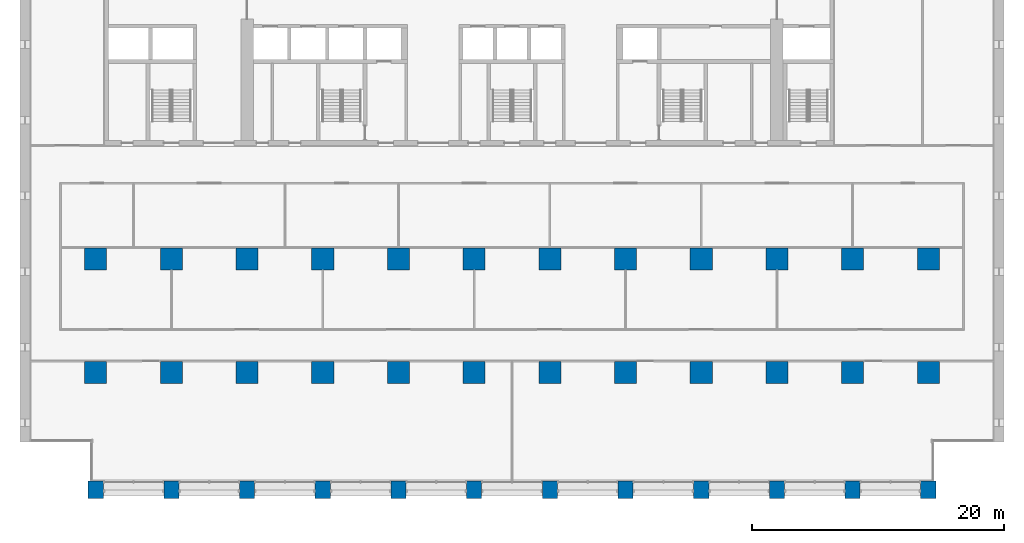
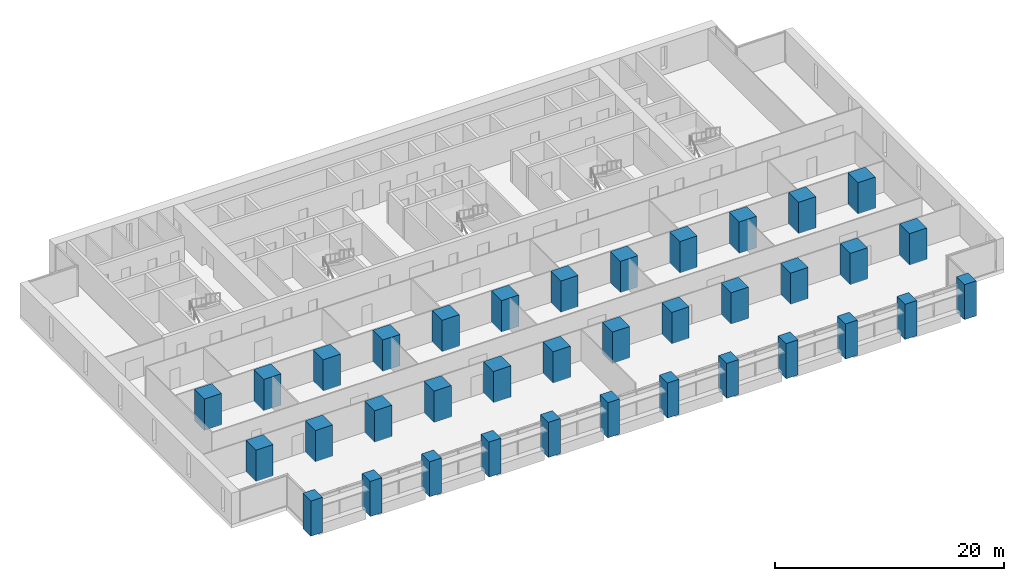
# One storey, part 1 of 18: 36 columns.
"""IFC4 building model written with IfcOpenShell, lengths in metres."""

from ifc_helpers import new_model, si_unit, direction, frame, origin, origin_2d, place, context, subcontext, project, spatial, rectangle, extrude, material, material_profile, profile_set, type_object, element, save


model = new_model("IFC4")

# Units and contexts
model_context = context("Model", 3, precision=1e-05, world=origin(), true_north=direction((0.0, 1.0)))
body_context = subcontext(model_context, "Body", "Model", "MODEL_VIEW")
ifc_project = project(units=[si_unit("LENGTHUNIT", "METRE"), si_unit("AREAUNIT", "SQUARE_METRE"), si_unit("VOLUMEUNIT", "CUBIC_METRE"), si_unit("PLANEANGLEUNIT", "RADIAN"), si_unit("MASSUNIT", "GRAM", prefix="KILO")], contexts=[model_context])

# Site, building, storey
site_placement = place(None, origin())
site = spatial("IfcSite", under=ifc_project, at=site_placement, CompositionType="ELEMENT")
building_placement = place(site_placement, origin())
building = spatial("IfcBuilding", under=site, at=building_placement, Name="Calvaro Tower", CompositionType="ELEMENT")
storey_placement = place(building_placement, frame((0.0, 0.0, 37.5)))
storey = spatial("IfcBuildingStorey", under=building, at=storey_placement, Name="L08", CompositionType="ELEMENT", Elevation=37.5)

# Columns
ifc_material_1 = material(Name="Concrete C80/95", Category="concrete")
ifc_material_profile_1 = material_profile(ifc_material_1, rectangle(XDim=1.75, YDim=1.75, at=origin_2d()), Name="RC 1750x1750")
ifc_profile_set_1 = profile_set([ifc_material_profile_1], Name="Concrete C80/95")
column_type_1 = type_object("IfcColumnType", Name="Column 1750x1750 C80/95", PredefinedType="COLUMN", material=ifc_profile_set_1)
for number, where, z_axis, x_axis, name in (
    (1, (6.0, 10.0, 0.0), (0.0, 0.0, 1.0), (1.0, 0.0, 0.0), "Column 2B"),
    (2, (6.0, 19.0, 0.0), (0.0, 0.0, 1.0), (1.0, 0.0, 0.0), "Column 2C"),
    (3, (12.0, 10.0, 0.0), (0.0, 0.0, 1.0), (1.0, 0.0, 0.0), "Column 3B"),
    (4, (12.0, 19.0, 0.0), (0.0, 0.0, 1.0), (1.0, 0.0, 0.0), "Column 3C"),
    (5, (18.0, 10.0, 0.0), (0.0, 0.0, 1.0), (1.0, 0.0, 0.0), "Column 4B"),
    (6, (18.0, 19.0, 0.0), (0.0, 0.0, 1.0), (1.0, 0.0, 0.0), "Column 4C"),
    (7, (24.0, 10.0, 0.0), (0.0, 0.0, 1.0), (1.0, 0.0, 0.0), "Column 5B"),
    (8, (24.0, 19.0, 0.0), (0.0, 0.0, 1.0), (1.0, 0.0, 0.0), "Column 5C"),
    (9, (30.0, 10.0, 0.0), (0.0, 0.0, 1.0), (1.0, 0.0, 0.0), "Column 6B"),
    (10, (30.0, 19.0, 0.0), (0.0, 0.0, 1.0), (1.0, 0.0, 0.0), "Column 6C"),
    (11, (36.0, 10.0, 0.0), (0.0, 0.0, 1.0), (1.0, 0.0, 0.0), "Column 7B"),
    (12, (36.0, 19.0, 0.0), (0.0, 0.0, 1.0), (1.0, 0.0, 0.0), "Column 7C"),
    (13, (42.0, 10.0, 0.0), (0.0, 0.0, 1.0), (1.0, 0.0, 0.0), "Column 8B"),
    (14, (42.0, 19.0, 0.0), (0.0, 0.0, 1.0), (1.0, 0.0, 0.0), "Column 8C"),
    (15, (48.0, 10.0, 0.0), (0.0, 0.0, 1.0), (1.0, 0.0, 0.0), "Column 9B"),
    (16, (48.0, 19.0, 0.0), (0.0, 0.0, 1.0), (1.0, 0.0, 0.0), "Column 9C"),
    (17, (54.0, 10.0, 0.0), (0.0, 0.0, 1.0), (1.0, 0.0, 0.0), "Column 10B"),
    (18, (54.0, 19.0, 0.0), (0.0, 0.0, 1.0), (1.0, 0.0, 0.0), "Column 10C"),
    (19, (60.0, 10.0, 0.0), (0.0, 0.0, 1.0), (1.0, 0.0, 0.0), "Column 11B"),
    (20, (60.0, 19.0, 0.0), (0.0, 0.0, 1.0), (1.0, 0.0, 0.0), "Column 11C"),
    (21, (66.0, 10.0, 0.0), (0.0, 0.0, 1.0), (1.0, 0.0, 0.0), "Column 12B"),
    (22, (66.0, 19.0, 0.0), (0.0, 0.0, 1.0), (1.0, 0.0, 0.0), "Column 12C"),
    (23, (72.0, 10.0, 0.0), (0.0, 0.0, 1.0), (1.0, 0.0, 0.0), "Column 13B"),
    (24, (72.0, 19.0, 0.0), (0.0, 0.0, 1.0), (1.0, 0.0, 0.0), "Column 13C"),
):
    element("IfcColumn", number, at=place(storey_placement, frame(where, z_axis=z_axis, x_axis=x_axis)), inside=storey, type_object=column_type_1, Name=name, PredefinedType="COLUMN", context=body_context, shape_type="SweptSolid", body=[
        extrude(rectangle(XDim=1.75, YDim=1.75, at=origin_2d()), origin(), (0.0, 0.0, 1.0), 3.35009765625),
    ])
ifc_material_2 = material(Name="Concrete C80/95", Category="concrete")
ifc_material_profile_2 = material_profile(ifc_material_2, rectangle(XDim=1.199951171875, YDim=1.39990234375, at=origin_2d()), Name="RC 1200x1400")
ifc_profile_set_2 = profile_set([ifc_material_profile_2], Name="Concrete C80/95")
column_type_2 = type_object("IfcColumnType", Name="Pier 1200x1400 C80/95", PredefinedType="COLUMN", material=ifc_profile_set_2)
for number, where, z_axis, x_axis, name in (
    (25, (6.0, 0.699951171875, -0.39990234375), (0.0, 0.0, 1.0), (1.0, 0.0, 0.0), "South pier 2"),
    (26, (12.0, 0.699951171875, -0.39990234375), (0.0, 0.0, 1.0), (1.0, 0.0, 0.0), "South pier 3"),
    (27, (18.0, 0.699951171875, -0.39990234375), (0.0, 0.0, 1.0), (1.0, 0.0, 0.0), "South pier 4"),
    (28, (24.0, 0.699951171875, -0.39990234375), (0.0, 0.0, 1.0), (1.0, 0.0, 0.0), "South pier 5"),
    (29, (30.0, 0.699951171875, -0.39990234375), (0.0, 0.0, 1.0), (1.0, 0.0, 0.0), "South pier 6"),
    (30, (36.0, 0.699951171875, -0.39990234375), (0.0, 0.0, 1.0), (1.0, 0.0, 0.0), "South pier 7"),
    (31, (42.0, 0.699951171875, -0.39990234375), (0.0, 0.0, 1.0), (1.0, 0.0, 0.0), "South pier 8"),
    (32, (48.0, 0.699951171875, -0.39990234375), (0.0, 0.0, 1.0), (1.0, 0.0, 0.0), "South pier 9"),
    (33, (54.0, 0.699951171875, -0.39990234375), (0.0, 0.0, 1.0), (1.0, 0.0, 0.0), "South pier 10"),
    (34, (60.0, 0.699951171875, -0.39990234375), (0.0, 0.0, 1.0), (1.0, 0.0, 0.0), "South pier 11"),
    (35, (66.0, 0.699951171875, -0.39990234375), (0.0, 0.0, 1.0), (1.0, 0.0, 0.0), "South pier 12"),
    (36, (72.0, 0.699951171875, -0.39990234375), (0.0, 0.0, 1.0), (1.0, 0.0, 0.0), "South pier 13"),
):
    element("IfcColumn", number, at=place(storey_placement, frame(where, z_axis=z_axis, x_axis=x_axis)), inside=storey, type_object=column_type_2, Name=name, PredefinedType="COLUMN", context=body_context, shape_type="SweptSolid", body=[
        extrude(rectangle(XDim=1.199951171875, YDim=1.39990234375, at=origin_2d()), origin(), (0.0, 0.0, 1.0), 3.75),
    ])

save(model, "model.ifc")
